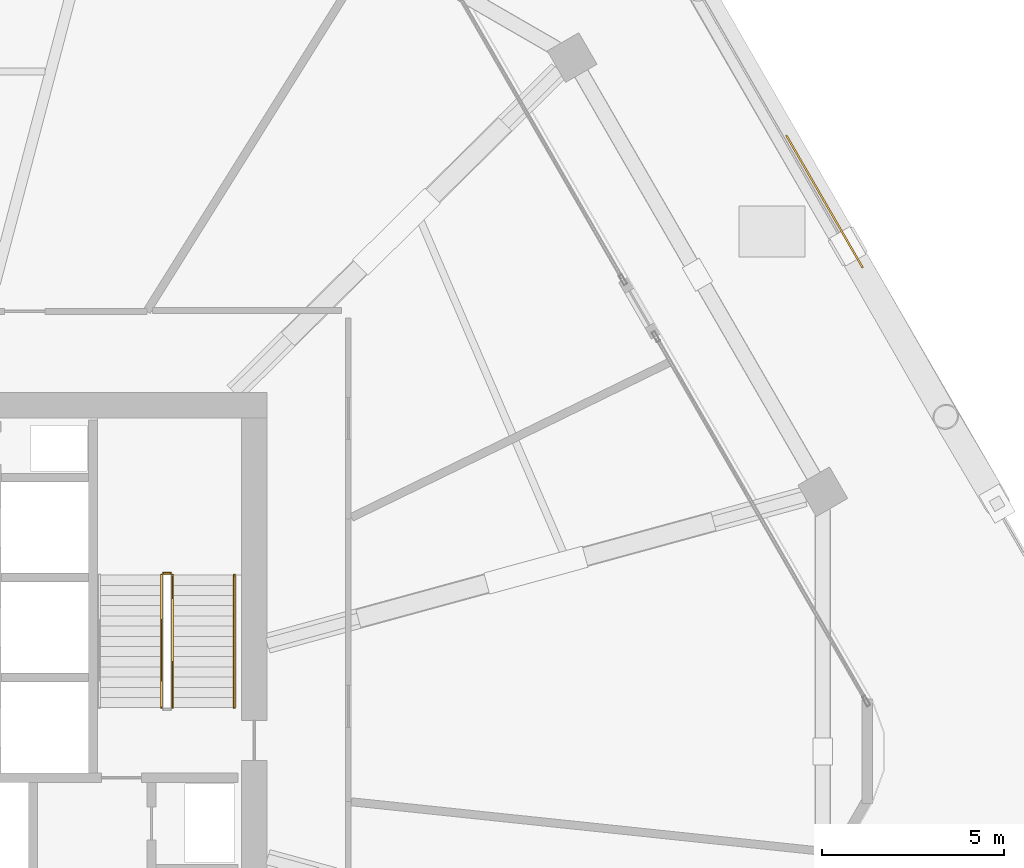
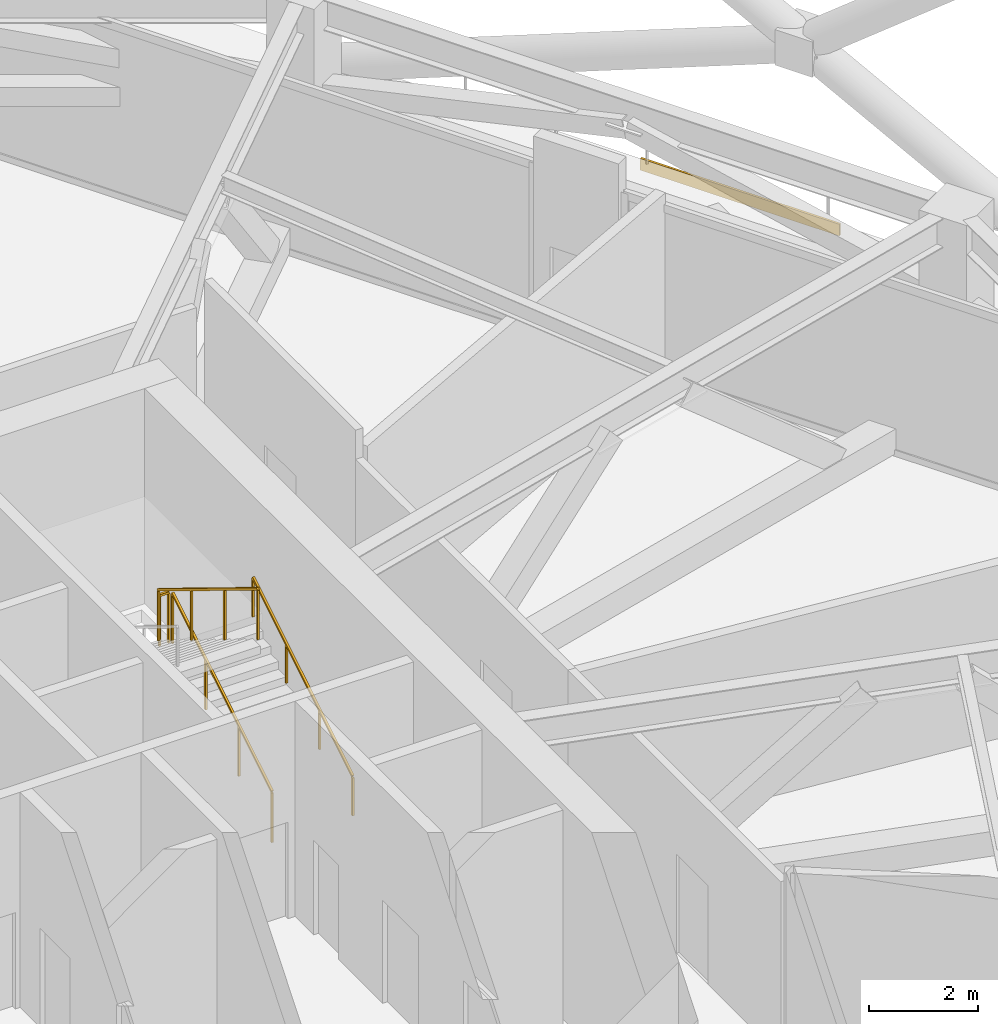
# One storey, part 20 of 20: 4 railings, 1 covering.
"""IFC4 building model written with IfcOpenShell, lengths in metres."""

from ifc_helpers import new_model, si_unit, direction, frame, origin, origin_2d, place, context, subcontext, project, spatial, rectangle, extrude, material, layer, layer_set, type_object, element, save


model = new_model("IFC4")

# Units and contexts
model_context = context("Model", 3, precision=1e-05, world=origin(), true_north=direction((0.0, 1.0)))
body_context = subcontext(model_context, "Body", "Model", "MODEL_VIEW")
ifc_project = project(units=[si_unit("LENGTHUNIT", "METRE"), si_unit("AREAUNIT", "SQUARE_METRE"), si_unit("VOLUMEUNIT", "CUBIC_METRE"), si_unit("PLANEANGLEUNIT", "RADIAN"), si_unit("MASSUNIT", "GRAM", prefix="KILO")], contexts=[model_context])

# Site, building, storey
site_placement = place(None, origin())
site = spatial("IfcSite", under=ifc_project, at=site_placement, CompositionType="ELEMENT")
building_placement = place(site_placement, origin())
building = spatial("IfcBuilding", under=site, at=building_placement, Name="Zuhravey Tower", CompositionType="ELEMENT")
storey_placement = place(building_placement, frame((0.0, 0.0, 145.60009765625)))
storey = spatial("IfcBuildingStorey", under=building, at=storey_placement, Name="L36", CompositionType="ELEMENT", Elevation=145.60009765625)

# Covering
ifc_material_1 = material(Name="Architectural GRC cladding panel")
ifc_layer = layer(ifc_material_1, 0.048095703125)
ifc_layer_set = layer_set([ifc_layer], Name="Architectural GRC cladding panel")
covering_type = type_object("IfcCoveringType", Name="Precast Girih Spandrel Cladding CLD2", PredefinedType="CLADDING", material=ifc_layer_set)
covering_placement = place(storey_placement, frame((62.151611328125, 47.0986328125, -0.26025390625), z_axis=(0.0, 0.0, 1.0), x_axis=(0.5, -0.866025403784, 0.0)))
element("IfcCovering", 1, at=covering_placement, inside=storey, type_object=covering_type, Name="L36 Face 1 Girih Spandrel Cladding CLD2", PredefinedType="CLADDING", context=body_context, shape_type="SweptSolid", body=[
    extrude(rectangle(XDim=4.199951171875, YDim=0.048095703125, at=origin_2d()), origin(), (0.0, 0.0, 1.0), 0.260009765625),
])

# Railings
ifc_material_2 = material(Name="Brushed stainless steel", Category="steel")
railing_type_1 = type_object("IfcRailingType", Name="Stair Wall Handrail 900", PredefinedType="HANDRAIL", material=ifc_material_2)
railing_1_placement = place(storey_placement, frame((45.949951171875, 33.199951171875, 0.17138671875)))
element("IfcRailing", 2, at=railing_1_placement, inside=storey, type_object=railing_type_1, Name="L36 ST2 stair handrail 1", PredefinedType="HANDRAIL", context=body_context, shape_type="SweptSolid", body=[
    extrude(rectangle(XDim=0.048095703125, YDim=0.048095703125, at=origin_2d()), frame((0.0, 0.001708984375, 0.876953125), z_axis=(0.0, 0.852865859571, 0.52213008492), x_axis=(-1.0, 0.0, 0.0)), (0.0, 0.0, 1.0), 4.26416015625),
    extrude(rectangle(XDim=0.0419921875, YDim=0.0419921875, at=origin_2d()), origin(), (0.0, 0.0, 1.0), 0.849853515625),
    extrude(rectangle(XDim=0.0419921875, YDim=0.0419921875, at=origin_2d()), frame((0.0, 1.21337890625, 0.742919921875)), (0.0, 0.0, 1.0), 0.849853515625),
    extrude(rectangle(XDim=0.0419921875, YDim=0.0419921875, at=origin_2d()), frame((0.0, 2.4267578125, 1.485595703125)), (0.0, 0.0, 1.0), 0.849853515625),
    extrude(rectangle(XDim=0.0419921875, YDim=0.0419921875, at=origin_2d()), frame((0.0, 3.64013671875, 2.228515625)), (0.0, 0.0, 1.0), 0.849853515625),
])
ifc_material_3 = material(Name="Painted tubular steel", Category="steel")
railing_type_2 = type_object("IfcRailingType", Name="Stair Well Guardrail 1150", PredefinedType="GUARDRAIL", material=ifc_material_3)
railing_2_placement = place(storey_placement, frame((44.25, 33.199951171875, 0.17138671875)))
element("IfcRailing", 3, at=railing_2_placement, inside=storey, type_object=railing_type_2, Name="L36 ST2 stair guard 1", PredefinedType="GUARDRAIL", context=body_context, shape_type="SweptSolid", body=[
    extrude(rectangle(XDim=0.048095703125, YDim=0.048095703125, at=origin_2d()), frame((0.0, 0.001708984375, 1.126953125), z_axis=(0.0, 0.852865859571, 0.52213008492), x_axis=(-1.0, 0.0, 0.0)), (0.0, 0.0, 1.0), 4.26416015625),
    extrude(rectangle(XDim=0.0419921875, YDim=0.0419921875, at=origin_2d()), origin(), (0.0, 0.0, 1.0), 1.099853515625),
    extrude(rectangle(XDim=0.0419921875, YDim=0.0419921875, at=origin_2d()), frame((0.0, 1.21337890625, 0.742919921875)), (0.0, 0.0, 1.0), 1.099853515625),
    extrude(rectangle(XDim=0.0419921875, YDim=0.0419921875, at=origin_2d()), frame((0.0, 2.4267578125, 1.485595703125)), (0.0, 0.0, 1.0), 1.099853515625),
    extrude(rectangle(XDim=0.0419921875, YDim=0.0419921875, at=origin_2d()), frame((0.0, 3.64013671875, 2.228515625)), (0.0, 0.0, 1.0), 1.099853515625),
])
railing_3_placement = place(storey_placement, frame((44.199951171875, 36.889892578125, 2.39990234375)))
element("IfcRailing", 4, at=railing_3_placement, inside=storey, type_object=railing_type_2, Name="L36 ST2 stair guard 2", PredefinedType="GUARDRAIL", context=body_context, shape_type="SweptSolid", body=[
    extrude(rectangle(XDim=0.048095703125, YDim=0.048095703125, at=origin_2d()), frame((-0.001953125, 0.0, 1.1259765625), z_axis=(-1.0, 0.0, 0.0), x_axis=(0.0, -1.0, 0.0)), (0.0, 0.0, 1.0), 0.196044921875),
    extrude(rectangle(XDim=0.0419921875, YDim=0.0419921875, at=origin_2d()), origin(), (0.0, 0.0, 1.0), 1.099853515625),
    extrude(rectangle(XDim=0.0419921875, YDim=0.0419921875, at=origin_2d()), frame((-0.199951171875, 0.0, 0.0)), (0.0, 0.0, 1.0), 1.099853515625),
])
railing_4_placement = place(storey_placement, frame((43.949951171875, 36.840087890625, 2.5712890625)))
element("IfcRailing", 5, at=railing_4_placement, inside=storey, type_object=railing_type_2, Name="L36 ST2 stair guard 3", PredefinedType="GUARDRAIL", context=body_context, shape_type="SweptSolid", body=[
    extrude(rectangle(XDim=0.048095703125, YDim=0.048095703125, at=origin_2d()), frame((0.0, -0.001708984375, 1.126953125), z_axis=(0.0, -0.852865859571, 0.52213008492), x_axis=(1.0, 0.0, 0.0)), (0.0, 0.0, 1.0), 4.26416015625),
    extrude(rectangle(XDim=0.0419921875, YDim=0.0419921875, at=origin_2d()), origin(), (0.0, 0.0, 1.0), 1.099853515625),
    extrude(rectangle(XDim=0.0419921875, YDim=0.0419921875, at=origin_2d()), frame((0.0, -1.21337890625, 0.742919921875)), (0.0, 0.0, 1.0), 1.099853515625),
    extrude(rectangle(XDim=0.0419921875, YDim=0.0419921875, at=origin_2d()), frame((0.0, -2.4267578125, 1.485595703125)), (0.0, 0.0, 1.0), 1.099853515625),
    extrude(rectangle(XDim=0.0419921875, YDim=0.0419921875, at=origin_2d()), frame((0.0, -3.64013671875, 2.228515625)), (0.0, 0.0, 1.0), 1.099853515625),
])

save(model, "model.ifc")
